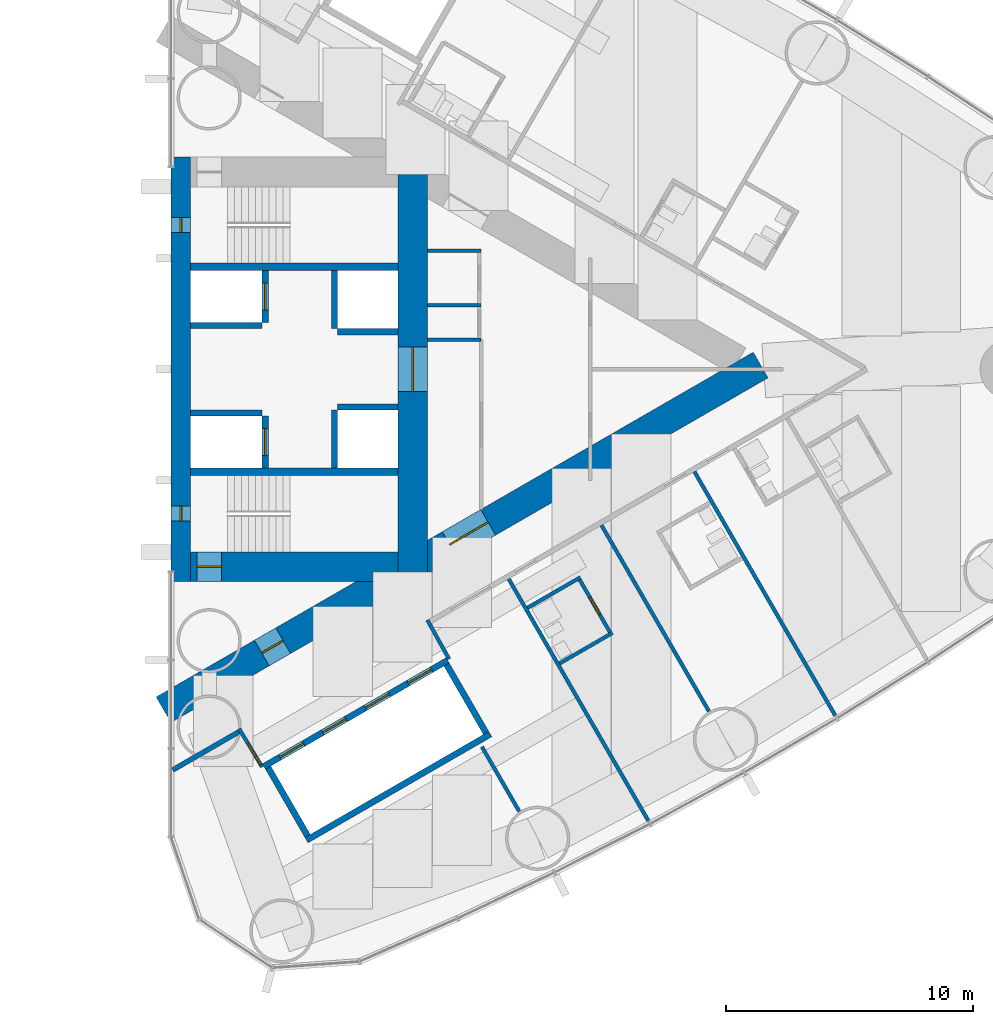
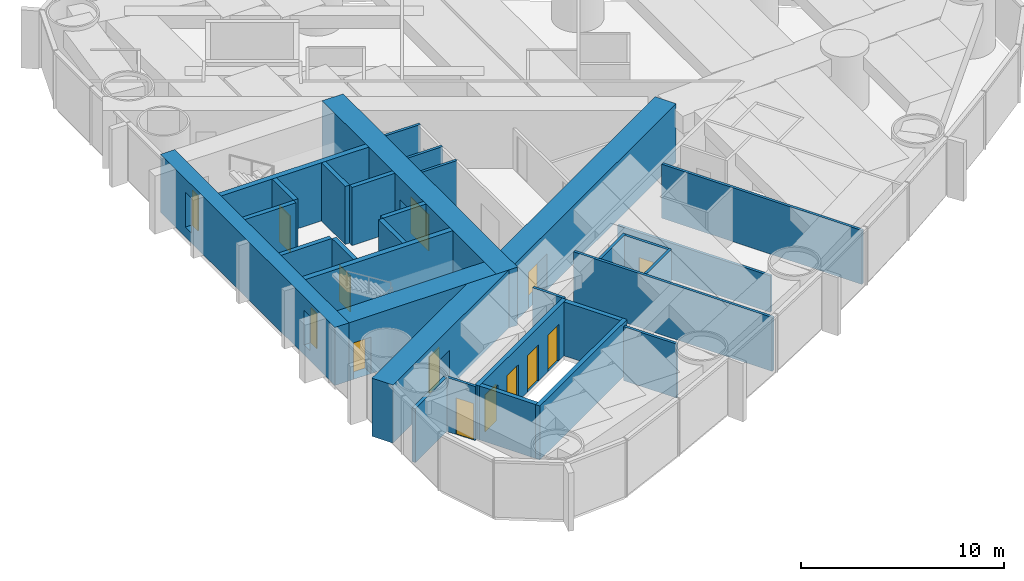
# One storey, part 13 of 18: 31 walls, 12 doors, 2 windows, 14 openings.
"""IFC4 building model written with IfcOpenShell, lengths in metres."""

from ifc_helpers import new_model, si_unit, direction, frame, frame_2d, origin, place, context, subcontext, project, spatial, rectangle, extrude, material, layer, layer_set, type_object, element, fill, save


model = new_model("IFC4")

# Units and contexts
model_context = context("Model", 3, precision=1e-05, world=origin(), true_north=direction((0.0, 1.0)))
body_context = subcontext(model_context, "Body", "Model", "MODEL_VIEW")
ifc_project = project(units=[si_unit("LENGTHUNIT", "METRE"), si_unit("AREAUNIT", "SQUARE_METRE"), si_unit("VOLUMEUNIT", "CUBIC_METRE"), si_unit("PLANEANGLEUNIT", "RADIAN"), si_unit("MASSUNIT", "GRAM", prefix="KILO")], contexts=[model_context])

# Site, building, storey
site_placement = place(None, origin())
site = spatial("IfcSite", under=ifc_project, at=site_placement, CompositionType="ELEMENT")
building_placement = place(site_placement, origin())
building = spatial("IfcBuilding", under=site, at=building_placement, Name="Lancet Gate Hotel", CompositionType="ELEMENT")
storey_placement = place(building_placement, frame((0.0, 0.0, 94.10009765625)))
storey = spatial("IfcBuildingStorey", under=building, at=storey_placement, Name="L24", CompositionType="ELEMENT", Elevation=94.10009765625)

# Wall
ifc_material_1 = material(Name="Moisture resistant board partition")
ifc_layer_1 = layer(ifc_material_1, 0.14990234375)
ifc_layer_set_1 = layer_set([ifc_layer_1], Name="Bathroom wall 150")
wall_type_1 = type_object("IfcWallType", Name="Bathroom wall 150", PredefinedType="PARTITIONING", material=ifc_layer_set_1)
wall_1_placement = place(storey_placement, frame((43.2548828125, -11.9208984375, 0.0), z_axis=(0.0, 0.0, 1.0), x_axis=(0.866006523861, 0.500032699561, 0.0)))
element("IfcWall", 1, at=wall_1_placement, inside=storey, type_object=wall_type_1, Name="T2 bathroom wall 150 L24", PredefinedType="PARTITIONING", context=body_context, shape_type="SweptSolid", body=[
    extrude(rectangle(XDim=2.474853515625, YDim=0.14990234375, at=frame_2d((1.2373046875, 0.0))), origin(), (0.0, 0.0, 1.0), 3.25),
])

# Wall, opening, door
wall_2_placement = place(storey_placement, frame((44.033203125, -8.46923828125, 0.0), z_axis=(0.0, 0.0, 1.0), x_axis=(0.500047596559, -0.865997922154, 0.0)))
wall_2 = element("IfcWall", 2, at=wall_2_placement, inside=storey, type_object=wall_type_1, Name="T2 bathroom wall 150 L24", PredefinedType="PARTITIONING", context=body_context, shape_type="SweptSolid", body=[
    extrude(rectangle(XDim=2.599853515625, YDim=0.14990234375, at=frame_2d((1.2998046875, 0.0))), origin(), (0.0, 0.0, 1.0), 3.25),
])
opening_1_placement = place(wall_2_placement, frame((0.89990234375, 0.0, 0.0)))
opening_1 = element("IfcOpeningElement", 3, at=opening_1_placement, cuts=wall_2, Name="Opening 2454-B", PredefinedType="OPENING", context=body_context, shape_type="SweptSolid", body=[
    extrude(rectangle(XDim=0.800048828125, YDim=2.199951171875, at=frame_2d((0.39990234375, 1.10009765625))), frame((0.0, 0.0849609375, 0.0), z_axis=(0.0, -1.0, 0.0), x_axis=(1.0, 0.0, 0.0)), (0.0, 0.0, 1.0), 0.169921875),
])
ifc_material_2 = material(Name="Timber door set", Category="wood")
door_type_1 = type_object("IfcDoorType", Name="Bathroom door 800", OperationType="SINGLE_SWING_RIGHT", PredefinedType="DOOR", material=ifc_material_2)
door_1_placement = place(opening_1_placement, origin())
door_1 = element("IfcDoor", 4, at=door_1_placement, inside=storey, type_object=door_type_1, Name="2454-B", OperationType="SINGLE_SWING_RIGHT", OverallHeight=2.199951171875, OverallWidth=0.800048828125, PredefinedType="DOOR", context=body_context, shape_type="SweptSolid", body=[
    extrude(rectangle(XDim=0.800048828125, YDim=2.199951171875, at=frame_2d((0.39990234375, 1.10009765625))), frame((0.0, 0.02490234375, 0.0), z_axis=(0.0, -1.0, 0.0), x_axis=(1.0, 0.0, 0.0)), (0.0, 0.0, 1.0), 0.050048828125),
])
fill(opening_1, door_1)

# Wall
wall_3_placement = place(storey_placement, frame((41.954833984375, -9.669189453125, 0.0), z_axis=(0.0, 0.0, 1.0), x_axis=(0.866006523861, 0.500032699561, 0.0)))
element("IfcWall", 5, at=wall_3_placement, inside=storey, type_object=wall_type_1, Name="T2 bathroom wall 150 L24", PredefinedType="PARTITIONING", context=body_context, shape_type="SweptSolid", body=[
    extrude(rectangle(XDim=2.474853515625, YDim=0.14990234375, at=frame_2d((1.2373046875, 0.0))), origin(), (0.0, 0.0, 1.0), 3.25),
])

# Wall, openings, doors
ifc_material_3 = material(Name="Concrete C70/85", Category="concrete")
ifc_layer_2 = layer(ifc_material_3, 1.199951171875)
ifc_layer_set_2 = layer_set([ifc_layer_2], Name="Buttress wall 1200")
wall_type_2 = type_object("IfcWallType", Name="Buttress wall 1200", PredefinedType="SHEAR", material=ifc_layer_set_2)
wall_4_placement = place(storey_placement, frame((27.199951171875, -13.800048828125, 0.0), z_axis=(0.0, 0.0, 1.0), x_axis=(0.866027159892, 0.499996958321, 0.0)))
wall_4 = element("IfcWall", 6, at=wall_4_placement, inside=storey, type_object=wall_type_2, Name="T2 buttress wall S L24", PredefinedType="SHEAR", context=body_context, shape_type="SweptSolid", body=[
    extrude(rectangle(XDim=27.946533203125, YDim=1.199951171875, at=frame_2d((13.97314453125, 0.0))), origin(), (0.0, 0.0, 1.0), 3.5),
])
opening_2_placement = place(wall_4_placement, frame((4.60009765625, 0.0, 0.0)))
opening_2 = element("IfcOpeningElement", 7, at=opening_2_placement, cuts=wall_4, Name="Opening T2-L24-LS", PredefinedType="OPENING", context=body_context, shape_type="SweptSolid", body=[
    extrude(rectangle(XDim=1.0, YDim=2.199951171875, at=frame_2d((0.5, 1.10009765625))), frame((0.0, 0.60986328125, 0.0), z_axis=(0.0, -1.0, 0.0), x_axis=(1.0, 0.0, 0.0)), (0.0, 0.0, 1.0), 1.219970703125),
])
opening_3_placement = place(wall_4_placement, frame((13.39453125, 0.0, 0.0)))
opening_3 = element("IfcOpeningElement", 8, at=opening_3_placement, cuts=wall_4, Name="Opening T2-L24-LHS", PredefinedType="OPENING", context=body_context, shape_type="SweptSolid", body=[
    extrude(rectangle(XDim=1.800048828125, YDim=2.199951171875, at=frame_2d((0.89990234375, 1.10009765625))), frame((0.0, 0.60986328125, 0.0), z_axis=(0.0, -1.0, 0.0), x_axis=(1.0, 0.0, 0.0)), (0.0, 0.0, 1.0), 1.219970703125),
])
ifc_material_4 = material(Name="Timber door set", Category="wood")
door_type_2 = type_object("IfcDoorType", Name="Lobby double door 1800", OperationType="DOUBLE_DOOR_SINGLE_SWING", PredefinedType="DOOR", material=ifc_material_4)
door_2_placement = place(opening_3_placement, origin())
door_2 = element("IfcDoor", 9, at=door_2_placement, inside=storey, type_object=door_type_2, Name="T2-L24-LHS", OperationType="DOUBLE_DOOR_SINGLE_SWING", OverallHeight=2.199951171875, OverallWidth=1.800048828125, PredefinedType="DOOR", context=body_context, shape_type="SweptSolid", body=[
    extrude(rectangle(XDim=1.800048828125, YDim=2.199951171875, at=frame_2d((0.89990234375, 1.10009765625))), frame((0.0, 0.02490234375, 0.0), z_axis=(0.0, -1.0, 0.0), x_axis=(1.0, 0.0, 0.0)), (0.0, 0.0, 1.0), 0.050048828125),
])
fill(opening_3, door_2)
ifc_material_5 = material(Name="Timber door set", Category="wood")
door_type_3 = type_object("IfcDoorType", Name="Stair lobby door 1000", OperationType="SINGLE_SWING_LEFT", PredefinedType="DOOR", material=ifc_material_5)
door_3_placement = place(opening_2_placement, origin())
door_3 = element("IfcDoor", 10, at=door_3_placement, inside=storey, type_object=door_type_3, Name="T2-L24-LS", OperationType="SINGLE_SWING_LEFT", OverallHeight=2.199951171875, OverallWidth=1.0, PredefinedType="DOOR", context=body_context, shape_type="SweptSolid", body=[
    extrude(rectangle(XDim=1.0, YDim=2.199951171875, at=frame_2d((0.5, 1.10009765625))), frame((0.0, 0.02490234375, 0.0), z_axis=(0.0, -1.0, 0.0), x_axis=(1.0, 0.0, 0.0)), (0.0, 0.0, 1.0), 0.050048828125),
])
fill(opening_2, door_3)

# Wall, opening, door
ifc_material_6 = material(Name="Concrete C70/85", Category="concrete")
ifc_layer_3 = layer(ifc_material_6, 1.199951171875)
ifc_layer_set_3 = layer_set([ifc_layer_3], Name="Core wall 1200")
wall_type_3 = type_object("IfcWallType", Name="Core wall 1200", PredefinedType="SHEAR", material=ifc_layer_set_3)
wall_5_placement = place(storey_placement, frame((37.300048828125, -8.60009765625, 0.0), z_axis=(0.0, 0.0, 1.0), x_axis=(0.0, 1.0, 0.0)))
wall_5 = element("IfcWall", 11, at=wall_5_placement, inside=storey, type_object=wall_type_3, Name="T2 core wall back L24", PredefinedType="SHEAR", context=body_context, shape_type="SweptSolid", body=[
    extrude(rectangle(XDim=17.2001953125, YDim=1.199951171875, at=frame_2d((8.60009765625, 0.0))), origin(), (0.0, 0.0, 1.0), 3.5),
])
opening_4_placement = place(wall_5_placement, frame((7.699951171875, 0.0, 0.0)))
opening_4 = element("IfcOpeningElement", 12, at=opening_4_placement, cuts=wall_5, Name="Opening T2-L24-LL", PredefinedType="OPENING", context=body_context, shape_type="SweptSolid", body=[
    extrude(rectangle(XDim=1.800048828125, YDim=2.199951171875, at=frame_2d((0.89990234375, 1.10009765625))), frame((0.0, 0.60986328125, 0.0), z_axis=(0.0, -1.0, 0.0), x_axis=(1.0, 0.0, 0.0)), (0.0, 0.0, 1.0), 1.219970703125),
])
door_4_placement = place(opening_4_placement, origin())
door_4 = element("IfcDoor", 13, at=door_4_placement, inside=storey, type_object=door_type_2, Name="T2-L24-LL", OperationType="DOUBLE_DOOR_SINGLE_SWING", OverallHeight=2.199951171875, OverallWidth=1.800048828125, PredefinedType="DOOR", context=body_context, shape_type="SweptSolid", body=[
    extrude(rectangle(XDim=1.800048828125, YDim=2.199951171875, at=frame_2d((0.89990234375, 1.10009765625))), frame((0.0, 0.02490234375, 0.0), z_axis=(0.0, -1.0, 0.0), x_axis=(1.0, 0.0, 0.0)), (0.0, 0.0, 1.0), 0.050048828125),
])
fill(opening_4, door_4)

wall_6_placement = place(storey_placement, frame((28.300048828125, -8.0, 0.0), z_axis=(0.0, 0.0, 1.0), x_axis=(1.0, 0.0, 0.0)))
wall_6 = element("IfcWall", 14, at=wall_6_placement, inside=storey, type_object=wall_type_3, Name="T2 core wall side-S L24", PredefinedType="SHEAR", context=body_context, shape_type="SweptSolid", body=[
    extrude(rectangle(XDim=8.39990234375, YDim=1.199951171875, at=frame_2d((4.199951171875, 0.0))), origin(), (0.0, 0.0, 1.0), 3.5),
])
opening_5_placement = place(wall_6_placement, frame((0.25, 0.0, 0.0)))
opening_5 = element("IfcOpeningElement", 15, at=opening_5_placement, cuts=wall_6, Name="Opening T2-L24-ST1", PredefinedType="OPENING", context=body_context, shape_type="SweptSolid", body=[
    extrude(rectangle(XDim=1.0, YDim=2.199951171875, at=frame_2d((0.5, 1.10009765625))), frame((0.0, 0.60986328125, 0.0), z_axis=(0.0, -1.0, 0.0), x_axis=(1.0, 0.0, 0.0)), (0.0, 0.0, 1.0), 1.219970703125),
])
ifc_material_7 = material(Name="Timber door set", Category="wood")
door_type_4 = type_object("IfcDoorType", Name="Stair door 1000", OperationType="SINGLE_SWING_RIGHT", PredefinedType="DOOR", material=ifc_material_7)
door_5_placement = place(opening_5_placement, origin())
door_5 = element("IfcDoor", 16, at=door_5_placement, inside=storey, type_object=door_type_4, Name="T2-L24-ST1", OperationType="SINGLE_SWING_RIGHT", OverallHeight=2.199951171875, OverallWidth=1.0, PredefinedType="DOOR", context=body_context, shape_type="SweptSolid", body=[
    extrude(rectangle(XDim=1.0, YDim=2.199951171875, at=frame_2d((0.5, 1.10009765625))), frame((0.0, 0.02490234375, 0.0), z_axis=(0.0, -1.0, 0.0), x_axis=(1.0, 0.0, 0.0)), (0.0, 0.0, 1.0), 0.050048828125),
])
fill(opening_5, door_5)

# Wall, openings, windows
ifc_material_8 = material(Name="Concrete C70/85", Category="concrete")
ifc_layer_4 = layer(ifc_material_8, 0.800048828125)
ifc_layer_set_4 = layer_set([ifc_layer_4], Name="Core wall 800")
wall_type_4 = type_object("IfcWallType", Name="Core wall 800", PredefinedType="SHEAR", material=ifc_layer_set_4)
wall_7_placement = place(storey_placement, frame((27.89990234375, -8.60009765625, 0.0), z_axis=(0.0, 0.0, 1.0), x_axis=(0.0, 1.0, 0.0)))
wall_7 = element("IfcWall", 17, at=wall_7_placement, inside=storey, type_object=wall_type_4, Name="T2 core wall front L24", PredefinedType="SHEAR", context=body_context, shape_type="SweptSolid", body=[
    extrude(rectangle(XDim=17.2001953125, YDim=0.800048828125, at=frame_2d((8.60009765625, 0.0))), origin(), (0.0, 0.0, 1.0), 3.5),
])
opening_6_placement = place(wall_7_placement, frame((2.449951171875, 0.0, 0.60009765625)))
opening_6 = element("IfcOpeningElement", 18, at=opening_6_placement, cuts=wall_7, Name="Opening LW1", PredefinedType="OPENING", context=body_context, shape_type="SweptSolid", body=[
    extrude(rectangle(XDim=0.60009765625, YDim=2.10009765625, at=frame_2d((0.300048828125, 1.050048828125))), frame((0.0, 0.409912109375, 0.0), z_axis=(0.0, -1.0, 0.0), x_axis=(1.0, 0.0, 0.0)), (0.0, 0.0, 1.0), 0.820068359375),
])
opening_7_placement = place(wall_7_placement, frame((14.14990234375, 0.0, 0.60009765625)))
opening_7 = element("IfcOpeningElement", 19, at=opening_7_placement, cuts=wall_7, Name="Opening LW1", PredefinedType="OPENING", context=body_context, shape_type="SweptSolid", body=[
    extrude(rectangle(XDim=0.60009765625, YDim=2.10009765625, at=frame_2d((0.300048828125, 1.050048828125))), frame((0.0, 0.409912109375, 0.0), z_axis=(0.0, -1.0, 0.0), x_axis=(1.0, 0.0, 0.0)), (0.0, 0.0, 1.0), 0.820068359375),
])
ifc_material_9 = material(Name="Fire-resisting glazed steel window", Category="steel")
window_type = type_object("IfcWindowType", Name="Lancet window 600x2100", PartitioningType="SINGLE_PANEL", PredefinedType="WINDOW", material=ifc_material_9)
window_1_placement = place(opening_6_placement, origin())
window_1 = element("IfcWindow", 20, at=window_1_placement, inside=storey, type_object=window_type, Name="T2 stair window S L24", OverallHeight=2.10009765625, OverallWidth=0.60009765625, PartitioningType="SINGLE_PANEL", PredefinedType="WINDOW", context=body_context, shape_type="SweptSolid", body=[
    extrude(rectangle(XDim=0.60009765625, YDim=2.10009765625, at=frame_2d((0.300048828125, 1.050048828125))), frame((0.0, 0.030029296875, 0.0), z_axis=(0.0, -1.0, 0.0), x_axis=(1.0, 0.0, 0.0)), (0.0, 0.0, 1.0), 0.06005859375),
])
fill(opening_6, window_1)
window_2_placement = place(opening_7_placement, origin())
window_2 = element("IfcWindow", 21, at=window_2_placement, inside=storey, type_object=window_type, Name="T2 stair window N L24", OverallHeight=2.10009765625, OverallWidth=0.60009765625, PartitioningType="SINGLE_PANEL", PredefinedType="WINDOW", context=body_context, shape_type="SweptSolid", body=[
    extrude(rectangle(XDim=0.60009765625, YDim=2.10009765625, at=frame_2d((0.300048828125, 1.050048828125))), frame((0.0, 0.030029296875, 0.0), z_axis=(0.0, -1.0, 0.0), x_axis=(1.0, 0.0, 0.0)), (0.0, 0.0, 1.0), 0.06005859375),
])
fill(opening_7, window_2)

# Wall
ifc_material_10 = material(Name="Gypsum board partition")
ifc_layer_5 = layer(ifc_material_10, 0.199951171875)
ifc_layer_set_5 = layer_set([ifc_layer_5], Name="Corridor wall 200")
wall_type_5 = type_object("IfcWallType", Name="Corridor wall 200", PredefinedType="PARTITIONING", material=ifc_layer_set_5)
wall_8_placement = place(storey_placement, frame((27.572021484375, -16.240966796875, 0.0), z_axis=(0.0, 0.0, 1.0), x_axis=(0.866029654818, 0.499992636921, 0.0)))
element("IfcWall", 22, at=wall_8_placement, inside=storey, type_object=wall_type_5, Name="T2 corridor wall 200 L24", PredefinedType="PARTITIONING", context=body_context, shape_type="SweptSolid", body=[
    extrude(rectangle(XDim=3.15478515625, YDim=0.199951171875, at=frame_2d((1.577392578125, 0.0))), origin(), (0.0, 0.0, 1.0), 3.25),
])

# Wall, openings, doors
ifc_material_11 = material(Name="Gypsum board partition")
ifc_layer_6 = layer(ifc_material_11, 0.25)
ifc_layer_set_6 = layer_set([ifc_layer_6], Name="Lift shaft partition 250")
wall_type_6 = type_object("IfcWallType", Name="Lift shaft partition 250", PredefinedType="PARTITIONING", material=ifc_layer_set_6)
wall_9_placement = place(storey_placement, frame((31.2705078125, -16.09716796875, 0.0), z_axis=(0.0, 0.0, 1.0), x_axis=(0.86604045752, 0.499973925258, 0.0)))
wall_9 = element("IfcWall", 23, at=wall_9_placement, inside=storey, type_object=wall_type_6, Name="T2 lift shaft wall LR L24", PredefinedType="PARTITIONING", context=body_context, shape_type="SweptSolid", body=[
    extrude(rectangle(XDim=8.60009765625, YDim=0.25, at=frame_2d((4.300048828125, 0.0))), origin(), (0.0, 0.0, 1.0), 3.25),
])
opening_8_placement = place(wall_9_placement, frame((0.75, 0.0, 0.0)))
opening_8 = element("IfcOpeningElement", 24, at=opening_8_placement, cuts=wall_9, Name="Opening T2-LR1-L24", PredefinedType="OPENING", context=body_context, shape_type="SweptSolid", body=[
    extrude(rectangle(XDim=1.10009765625, YDim=2.199951171875, at=frame_2d((0.550048828125, 1.10009765625))), frame((0.0, 0.135009765625, 0.0), z_axis=(0.0, -1.0, 0.0), x_axis=(1.0, 0.0, 0.0)), (0.0, 0.0, 1.0), 0.27001953125),
])
opening_9_placement = place(wall_9_placement, frame((2.75, 0.0, 0.0)))
opening_9 = element("IfcOpeningElement", 25, at=opening_9_placement, cuts=wall_9, Name="Opening T2-LR2-L24", PredefinedType="OPENING", context=body_context, shape_type="SweptSolid", body=[
    extrude(rectangle(XDim=1.10009765625, YDim=2.199951171875, at=frame_2d((0.550048828125, 1.10009765625))), frame((0.0, 0.135009765625, 0.0), z_axis=(0.0, -1.0, 0.0), x_axis=(1.0, 0.0, 0.0)), (0.0, 0.0, 1.0), 0.27001953125),
])
opening_10_placement = place(wall_9_placement, frame((4.75, 0.0, 0.0)))
opening_10 = element("IfcOpeningElement", 26, at=opening_10_placement, cuts=wall_9, Name="Opening T2-LR3-L24", PredefinedType="OPENING", context=body_context, shape_type="SweptSolid", body=[
    extrude(rectangle(XDim=1.10009765625, YDim=2.199951171875, at=frame_2d((0.550048828125, 1.10009765625))), frame((0.0, 0.135009765625, 0.0), z_axis=(0.0, -1.0, 0.0), x_axis=(1.0, 0.0, 0.0)), (0.0, 0.0, 1.0), 0.27001953125),
])
opening_11_placement = place(wall_9_placement, frame((6.75, 0.0, 0.0)))
opening_11 = element("IfcOpeningElement", 27, at=opening_11_placement, cuts=wall_9, Name="Opening T2-LR4-L24", PredefinedType="OPENING", context=body_context, shape_type="SweptSolid", body=[
    extrude(rectangle(XDim=1.10009765625, YDim=2.199951171875, at=frame_2d((0.550048828125, 1.10009765625))), frame((0.0, 0.135009765625, 0.0), z_axis=(0.0, -1.0, 0.0), x_axis=(1.0, 0.0, 0.0)), (0.0, 0.0, 1.0), 0.27001953125),
])
ifc_material_12 = material(Name="Steel door set", Category="steel")
door_type_5 = type_object("IfcDoorType", Name="Lift landing door 1100", OperationType="DOUBLE_DOOR_SLIDING", PredefinedType="USERDEFINED", material=ifc_material_12)
door_6_placement = place(opening_8_placement, origin())
door_6 = element("IfcDoor", 28, at=door_6_placement, inside=storey, type_object=door_type_5, Name="T2-LR1-L24", ObjectType="LIFT LANDING DOOR", OperationType="DOUBLE_DOOR_SLIDING", OverallHeight=2.199951171875, OverallWidth=1.10009765625, PredefinedType="USERDEFINED", context=body_context, shape_type="SweptSolid", body=[
    extrude(rectangle(XDim=1.10009765625, YDim=2.199951171875, at=frame_2d((0.550048828125, 1.10009765625))), frame((0.0, 0.02490234375, 0.0), z_axis=(0.0, -1.0, 0.0), x_axis=(1.0, 0.0, 0.0)), (0.0, 0.0, 1.0), 0.050048828125),
])
fill(opening_8, door_6)
door_7_placement = place(opening_9_placement, origin())
door_7 = element("IfcDoor", 29, at=door_7_placement, inside=storey, type_object=door_type_5, Name="T2-LR2-L24", ObjectType="LIFT LANDING DOOR", OperationType="DOUBLE_DOOR_SLIDING", OverallHeight=2.199951171875, OverallWidth=1.10009765625, PredefinedType="USERDEFINED", context=body_context, shape_type="SweptSolid", body=[
    extrude(rectangle(XDim=1.10009765625, YDim=2.199951171875, at=frame_2d((0.550048828125, 1.10009765625))), frame((0.0, 0.02490234375, 0.0), z_axis=(0.0, -1.0, 0.0), x_axis=(1.0, 0.0, 0.0)), (0.0, 0.0, 1.0), 0.050048828125),
])
fill(opening_9, door_7)
door_8_placement = place(opening_10_placement, origin())
door_8 = element("IfcDoor", 30, at=door_8_placement, inside=storey, type_object=door_type_5, Name="T2-LR3-L24", ObjectType="LIFT LANDING DOOR", OperationType="DOUBLE_DOOR_SLIDING", OverallHeight=2.199951171875, OverallWidth=1.10009765625, PredefinedType="USERDEFINED", context=body_context, shape_type="SweptSolid", body=[
    extrude(rectangle(XDim=1.10009765625, YDim=2.199951171875, at=frame_2d((0.550048828125, 1.10009765625))), frame((0.0, 0.02490234375, 0.0), z_axis=(0.0, -1.0, 0.0), x_axis=(1.0, 0.0, 0.0)), (0.0, 0.0, 1.0), 0.050048828125),
])
fill(opening_10, door_8)
door_9_placement = place(opening_11_placement, origin())
door_9 = element("IfcDoor", 31, at=door_9_placement, inside=storey, type_object=door_type_5, Name="T2-LR4-L24", ObjectType="LIFT LANDING DOOR", OperationType="DOUBLE_DOOR_SLIDING", OverallHeight=2.199951171875, OverallWidth=1.10009765625, PredefinedType="USERDEFINED", context=body_context, shape_type="SweptSolid", body=[
    extrude(rectangle(XDim=1.10009765625, YDim=2.199951171875, at=frame_2d((0.550048828125, 1.10009765625))), frame((0.0, 0.02490234375, 0.0), z_axis=(0.0, -1.0, 0.0), x_axis=(1.0, 0.0, 0.0)), (0.0, 0.0, 1.0), 0.050048828125),
])
fill(opening_11, door_9)

# Walls
wall_10_placement = place(storey_placement, frame((32.99560546875, -19.085693359375, 0.0), z_axis=(0.0, 0.0, 1.0), x_axis=(0.866028165386, 0.499995216735, 0.0)))
element("IfcWall", 32, at=wall_10_placement, inside=storey, type_object=wall_type_6, Name="T2 lift shaft wall LR L24", PredefinedType="PARTITIONING", context=body_context, shape_type="SweptSolid", body=[
    extrude(rectangle(XDim=8.60009765625, YDim=0.25, at=frame_2d((4.300048828125, 0.0))), origin(), (0.0, 0.0, 1.0), 3.25),
])
for number, where, z_axis, x_axis, name in (
    (33, (31.441162109375, -16.14306640625, 0.0), (0.0, 0.0, 1.0), (0.499929347863, -0.866066190972, 0.0), "T2 lift shaft wall LR L24"),
    (34, (38.672607421875, -11.968017578125, 0.0), (0.0, 0.0, 1.0), (0.499929347863, -0.866066190972, 0.0), "T2 lift shaft wall LR L24"),
):
    element("IfcWall", number, at=place(storey_placement, frame(where, z_axis=z_axis, x_axis=x_axis)), inside=storey, type_object=wall_type_6, Name=name, PredefinedType="PARTITIONING", context=body_context, shape_type="SweptSolid", body=[
        extrude(rectangle(XDim=3.20068359375, YDim=0.25, at=frame_2d((1.600341796875, 0.0))), origin(), (0.0, 0.0, 1.0), 3.25),
    ])

# Wall, opening, door
ifc_material_13 = material(Name="Concrete C50/60", Category="concrete")
ifc_layer_7 = layer(ifc_material_13, 0.25)
ifc_layer_set_7 = layer_set([ifc_layer_7], Name="Lift shaft wall 250")
wall_type_7 = type_object("IfcWallType", Name="Lift shaft wall 250", PredefinedType="SHEAR", material=ifc_layer_set_7)
wall_11_placement = place(storey_placement, frame((31.324951171875, -4.0, 0.0), z_axis=(0.0, 0.0, 1.0), x_axis=(0.0, 1.0, 0.0)))
wall_11 = element("IfcWall", 35, at=wall_11_placement, inside=storey, type_object=wall_type_7, Name="T2 core wall row1-S L24", PredefinedType="SHEAR", context=body_context, shape_type="SweptSolid", body=[
    extrude(rectangle(XDim=2.10009765625, YDim=0.25, at=frame_2d((1.050048828125, 0.0))), origin(), (0.0, 0.0, 1.0), 3.5),
])
opening_12_placement = place(wall_11_placement, frame((0.5, 0.0, 0.0)))
opening_12 = element("IfcOpeningElement", 36, at=opening_12_placement, cuts=wall_11, Name="Opening T2-SL1-L24", PredefinedType="OPENING", context=body_context, shape_type="SweptSolid", body=[
    extrude(rectangle(XDim=1.10009765625, YDim=2.199951171875, at=frame_2d((0.550048828125, 1.10009765625))), frame((0.0, 0.135009765625, 0.0), z_axis=(0.0, -1.0, 0.0), x_axis=(1.0, 0.0, 0.0)), (0.0, 0.0, 1.0), 0.27001953125),
])
ifc_material_14 = material(Name="Timber door set", Category="wood")
door_type_6 = type_object("IfcDoorType", Name="Service lift landing door 1100", OperationType="SLIDING_TO_LEFT", PredefinedType="USERDEFINED", material=ifc_material_14)
door_10_placement = place(opening_12_placement, origin())
door_10 = element("IfcDoor", 37, at=door_10_placement, inside=storey, type_object=door_type_6, Name="T2-SL1-L24", ObjectType="LIFT LANDING DOOR", OperationType="SLIDING_TO_LEFT", OverallHeight=2.199951171875, OverallWidth=1.10009765625, PredefinedType="USERDEFINED", context=body_context, shape_type="SweptSolid", body=[
    extrude(rectangle(XDim=1.10009765625, YDim=2.199951171875, at=frame_2d((0.550048828125, 1.10009765625))), frame((0.0, 0.02490234375, 0.0), z_axis=(0.0, -1.0, 0.0), x_axis=(1.0, 0.0, 0.0)), (0.0, 0.0, 1.0), 0.050048828125),
])
fill(opening_12, door_10)

# Walls
wall_12_placement = place(storey_placement, frame((34.125, -4.0, 0.0), z_axis=(0.0, 0.0, 1.0), x_axis=(0.0, 1.0, 0.0)))
element("IfcWall", 38, at=wall_12_placement, inside=storey, type_object=wall_type_7, Name="T2 core wall row2-S L24", PredefinedType="SHEAR", context=body_context, shape_type="SweptSolid", body=[
    extrude(rectangle(XDim=2.35009765625, YDim=0.25, at=frame_2d((1.175048828125, 0.0))), origin(), (0.0, 0.0, 1.0), 3.5),
])
wall_13_placement = place(storey_placement, frame((28.300048828125, -1.77490234375, 0.0), z_axis=(0.0, 0.0, 1.0), x_axis=(1.0, 0.0, 0.0)))
element("IfcWall", 39, at=wall_13_placement, inside=storey, type_object=wall_type_7, Name="T2 core wall pass1-S L24", PredefinedType="SHEAR", context=body_context, shape_type="SweptSolid", body=[
    extrude(rectangle(XDim=2.89990234375, YDim=0.25, at=frame_2d((1.449951171875, 0.0))), origin(), (0.0, 0.0, 1.0), 3.5),
])
wall_14_placement = place(storey_placement, frame((34.25, -1.52490234375, 0.0), z_axis=(0.0, 0.0, 1.0), x_axis=(1.0, 0.0, 0.0)))
element("IfcWall", 40, at=wall_14_placement, inside=storey, type_object=wall_type_7, Name="T2 core wall pass2-S L24", PredefinedType="SHEAR", context=body_context, shape_type="SweptSolid", body=[
    extrude(rectangle(XDim=2.449951171875, YDim=0.25, at=frame_2d((1.22509765625, 0.0))), origin(), (0.0, 0.0, 1.0), 3.5),
])

# Wall, opening, door
wall_15_placement = place(storey_placement, frame((31.324951171875, 1.89990234375, 0.0), z_axis=(0.0, 0.0, 1.0), x_axis=(0.0, 1.0, 0.0)))
wall_15 = element("IfcWall", 41, at=wall_15_placement, inside=storey, type_object=wall_type_7, Name="T2 core wall row1-N L24", PredefinedType="SHEAR", context=body_context, shape_type="SweptSolid", body=[
    extrude(rectangle(XDim=2.10009765625, YDim=0.25, at=frame_2d((1.050048828125, 0.0))), origin(), (0.0, 0.0, 1.0), 3.5),
])
opening_13_placement = place(wall_15_placement, frame((0.5, 0.0, 0.0)))
opening_13 = element("IfcOpeningElement", 42, at=opening_13_placement, cuts=wall_15, Name="Opening T2-FL2-L24", PredefinedType="OPENING", context=body_context, shape_type="SweptSolid", body=[
    extrude(rectangle(XDim=1.10009765625, YDim=2.199951171875, at=frame_2d((0.550048828125, 1.10009765625))), frame((0.0, 0.135009765625, 0.0), z_axis=(0.0, -1.0, 0.0), x_axis=(1.0, 0.0, 0.0)), (0.0, 0.0, 1.0), 0.27001953125),
])
ifc_material_15 = material(Name="Steel door set", Category="steel")
door_type_7 = type_object("IfcDoorType", Name="Firefighting lift landing door 1100", OperationType="SLIDING_TO_LEFT", PredefinedType="USERDEFINED", material=ifc_material_15)
door_11_placement = place(opening_13_placement, origin())
door_11 = element("IfcDoor", 43, at=door_11_placement, inside=storey, type_object=door_type_7, Name="T2-FL2-L24", ObjectType="LIFT LANDING DOOR", OperationType="SLIDING_TO_LEFT", OverallHeight=2.199951171875, OverallWidth=1.10009765625, PredefinedType="USERDEFINED", context=body_context, shape_type="SweptSolid", body=[
    extrude(rectangle(XDim=1.10009765625, YDim=2.199951171875, at=frame_2d((0.550048828125, 1.10009765625))), frame((0.0, 0.02490234375, 0.0), z_axis=(0.0, -1.0, 0.0), x_axis=(1.0, 0.0, 0.0)), (0.0, 0.0, 1.0), 0.050048828125),
])
fill(opening_13, door_11)

# Walls
wall_16_placement = place(storey_placement, frame((34.125, 1.64990234375, 0.0), z_axis=(0.0, 0.0, 1.0), x_axis=(0.0, 1.0, 0.0)))
element("IfcWall", 44, at=wall_16_placement, inside=storey, type_object=wall_type_7, Name="T2 core wall row2-N L24", PredefinedType="SHEAR", context=body_context, shape_type="SweptSolid", body=[
    extrude(rectangle(XDim=2.35009765625, YDim=0.25, at=frame_2d((1.175048828125, 0.0))), origin(), (0.0, 0.0, 1.0), 3.5),
])
wall_17_placement = place(storey_placement, frame((28.300048828125, 1.77490234375, 0.0), z_axis=(0.0, 0.0, 1.0), x_axis=(1.0, 0.0, 0.0)))
element("IfcWall", 45, at=wall_17_placement, inside=storey, type_object=wall_type_7, Name="T2 core wall pass1-N L24", PredefinedType="SHEAR", context=body_context, shape_type="SweptSolid", body=[
    extrude(rectangle(XDim=2.89990234375, YDim=0.25, at=frame_2d((1.449951171875, 0.0))), origin(), (0.0, 0.0, 1.0), 3.5),
])
wall_18_placement = place(storey_placement, frame((34.25, 1.52490234375, 0.0), z_axis=(0.0, 0.0, 1.0), x_axis=(1.0, 0.0, 0.0)))
element("IfcWall", 46, at=wall_18_placement, inside=storey, type_object=wall_type_7, Name="T2 core wall pass2-N L24", PredefinedType="SHEAR", context=body_context, shape_type="SweptSolid", body=[
    extrude(rectangle(XDim=2.449951171875, YDim=0.25, at=frame_2d((1.22509765625, 0.0))), origin(), (0.0, 0.0, 1.0), 3.5),
])
ifc_material_16 = material(Name="Gypsum board partition")
ifc_layer_8 = layer(ifc_material_16, 0.14990234375)
ifc_layer_set_8 = layer_set([ifc_layer_8], Name="Party wall 150")
wall_type_8 = type_object("IfcWallType", Name="Party wall 150", PredefinedType="PARTITIONING", material=ifc_layer_set_8)
wall_19_placement = place(storey_placement, frame((41.18994140625, -8.494140625, 0.0), z_axis=(0.0, 0.0, 1.0), x_axis=(0.49999258054, -0.866029687369, 0.0)))
element("IfcWall", 47, at=wall_19_placement, inside=storey, type_object=wall_type_8, Name="T2 party wall 150 L24", PredefinedType="PARTITIONING", context=body_context, shape_type="SweptSolid", body=[
    extrude(rectangle(XDim=11.318115234375, YDim=0.14990234375, at=frame_2d((5.6591796875, 0.0))), origin(), (0.0, 0.0, 1.0), 3.25),
])
wall_20_placement = place(storey_placement, frame((44.95361328125, -6.3212890625, 0.0), z_axis=(0.0, 0.0, 1.0), x_axis=(0.500018676722, -0.866014620505, 0.0)))
element("IfcWall", 48, at=wall_20_placement, inside=storey, type_object=wall_type_8, Name="T2 party wall 150 L24", PredefinedType="PARTITIONING", context=body_context, shape_type="SweptSolid", body=[
    extrude(rectangle(XDim=8.703857421875, YDim=0.14990234375, at=frame_2d((4.35205078125, 0.0))), origin(), (0.0, 0.0, 1.0), 2.199951171875),
])
wall_21_placement = place(storey_placement, frame((48.718505859375, -4.1474609375, 0.0), z_axis=(0.0, 0.0, 1.0), x_axis=(0.499990498062, -0.866030889661, 0.0)))
element("IfcWall", 49, at=wall_21_placement, inside=storey, type_object=wall_type_8, Name="T2 party wall 150 L24", PredefinedType="PARTITIONING", context=body_context, shape_type="SweptSolid", body=[
    extrude(rectangle(XDim=11.406005859375, YDim=0.14990234375, at=frame_2d((5.703125, 0.0))), origin(), (0.0, 0.0, 1.0), 3.25),
])
wall_22_placement = place(storey_placement, frame((40.10546875, -15.298583984375, 0.0), z_axis=(0.0, 0.0, 1.0), x_axis=(0.499978822259, -0.866037630414, 0.0)))
element("IfcWall", 50, at=wall_22_placement, inside=storey, type_object=wall_type_8, Name="T2 party wall 150 L24", PredefinedType="PARTITIONING", context=body_context, shape_type="SweptSolid", body=[
    extrude(rectangle(XDim=3.022705078125, YDim=0.14990234375, at=frame_2d((1.51123046875, 0.0))), origin(), (0.0, 0.0, 1.0), 3.25),
])

# Wall, opening, door
ifc_material_17 = material(Name="Gypsum board partition")
ifc_layer_9 = layer(ifc_material_17, 0.14990234375)
ifc_layer_set_9 = layer_set([ifc_layer_9], Name="Service room wall 150")
wall_type_9 = type_object("IfcWallType", Name="Service room wall 150", PredefinedType="PARTITIONING", material=ifc_layer_set_9)
wall_23_placement = place(storey_placement, frame((30.26708984375, -14.5693359375, 0.0), z_axis=(0.0, 0.0, 1.0), x_axis=(0.514336634837, -0.857588377991, 0.0)))
wall_23 = element("IfcWall", 51, at=wall_23_placement, inside=storey, type_object=wall_type_9, Name="T2 service room wall 150 L24", PredefinedType="PARTITIONING", context=body_context, shape_type="SweptSolid", body=[
    extrude(rectangle(XDim=1.80517578125, YDim=0.14990234375, at=frame_2d((0.902587890625, 0.0))), origin(), (0.0, 0.0, 1.0), 3.25),
])
opening_14_placement = place(wall_23_placement, frame((0.702880859375, 0.0, 0.0)))
opening_14 = element("IfcOpeningElement", 52, at=opening_14_placement, cuts=wall_23, Name="Opening T2-L24-LO1", PredefinedType="OPENING", context=body_context, shape_type="SweptSolid", body=[
    extrude(rectangle(XDim=1.0, YDim=2.199951171875, at=frame_2d((0.5, 1.10009765625))), frame((0.0, 0.0849609375, 0.0), z_axis=(0.0, -1.0, 0.0), x_axis=(1.0, 0.0, 0.0)), (0.0, 0.0, 1.0), 0.169921875),
])
ifc_material_18 = material(Name="Timber door set", Category="wood")
door_type_8 = type_object("IfcDoorType", Name="Service door 1000", OperationType="SINGLE_SWING_LEFT", PredefinedType="DOOR", material=ifc_material_18)
door_12_placement = place(opening_14_placement, origin())
door_12 = element("IfcDoor", 53, at=door_12_placement, inside=storey, type_object=door_type_8, Name="T2-L24-LO1", OperationType="SINGLE_SWING_LEFT", OverallHeight=2.199951171875, OverallWidth=1.0, PredefinedType="DOOR", context=body_context, shape_type="SweptSolid", body=[
    extrude(rectangle(XDim=1.0, YDim=2.199951171875, at=frame_2d((0.5, 1.10009765625))), frame((0.0, 0.02490234375, 0.0), z_axis=(0.0, -1.0, 0.0), x_axis=(1.0, 0.0, 0.0)), (0.0, 0.0, 1.0), 0.050048828125),
])
fill(opening_14, door_12)

# Walls
wall_24_placement = place(storey_placement, frame((38.7734375, -11.742431640625, 0.0), z_axis=(0.0, 0.0, 1.0), x_axis=(-0.485528096672, 0.8742210632, 0.0)))
element("IfcWall", 54, at=wall_24_placement, inside=storey, type_object=wall_type_9, Name="T2 service room wall 150 L24", PredefinedType="PARTITIONING", context=body_context, shape_type="SweptSolid", body=[
    extrude(rectangle(XDim=1.80517578125, YDim=0.14990234375, at=frame_2d((0.902587890625, 0.0))), origin(), (0.0, 0.0, 1.0), 3.25),
])
for number, where, z_axis, x_axis, name in (
    (55, (37.89990234375, 1.199951171875, 0.0), (0.0, 0.0, 1.0), (1.0, 0.0, 0.0), "T2 service room wall 150 L24"),
    (56, (37.89990234375, 2.60009765625, 0.0), (0.0, 0.0, 1.0), (1.0, 0.0, 0.0), "T2 service room wall 150 L24"),
    (57, (37.89990234375, 4.800048828125, 0.0), (0.0, 0.0, 1.0), (1.0, 0.0, 0.0), "T2 service room wall 150 L24"),
):
    element("IfcWall", number, at=place(storey_placement, frame(where, z_axis=z_axis, x_axis=x_axis)), inside=storey, type_object=wall_type_9, Name=name, PredefinedType="PARTITIONING", context=body_context, shape_type="SweptSolid", body=[
        extrude(rectangle(XDim=2.175048828125, YDim=0.14990234375, at=frame_2d((1.08740234375, 0.0))), origin(), (0.0, 0.0, 1.0), 3.25),
    ])
ifc_material_19 = material(Name="Concrete C50/60", Category="concrete")
ifc_layer_10 = layer(ifc_material_19, 0.300048828125)
ifc_layer_set_10 = layer_set([ifc_layer_10], Name="Stair enclosure wall 300")
wall_type_10 = type_object("IfcWallType", Name="Stair enclosure wall 300", PredefinedType="SHEAR", material=ifc_layer_set_10)
for number, where, z_axis, x_axis, name in (
    (58, (28.300048828125, -4.14990234375, 0.0), (0.0, 0.0, 1.0), (1.0, 0.0, 0.0), "T2 core wall stair-S L24"),
    (59, (28.300048828125, 4.14990234375, 0.0), (0.0, 0.0, 1.0), (1.0, 0.0, 0.0), "T2 core wall stair-N L24"),
):
    element("IfcWall", number, at=place(storey_placement, frame(where, z_axis=z_axis, x_axis=x_axis)), inside=storey, type_object=wall_type_10, Name=name, PredefinedType="SHEAR", context=body_context, shape_type="SweptSolid", body=[
        extrude(rectangle(XDim=8.39990234375, YDim=0.300048828125, at=frame_2d((4.199951171875, 0.0))), origin(), (0.0, 0.0, 1.0), 3.5),
    ])

save(model, "model.ifc")
